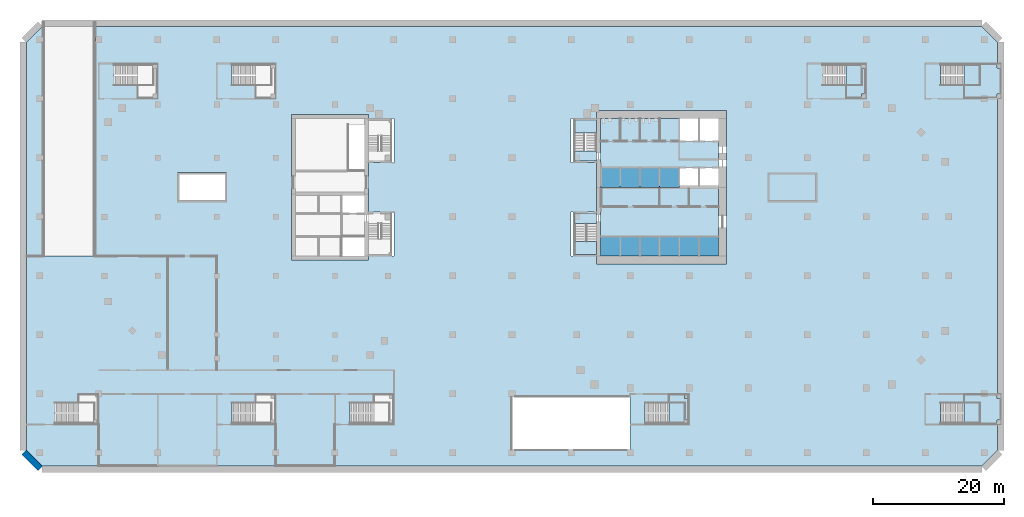
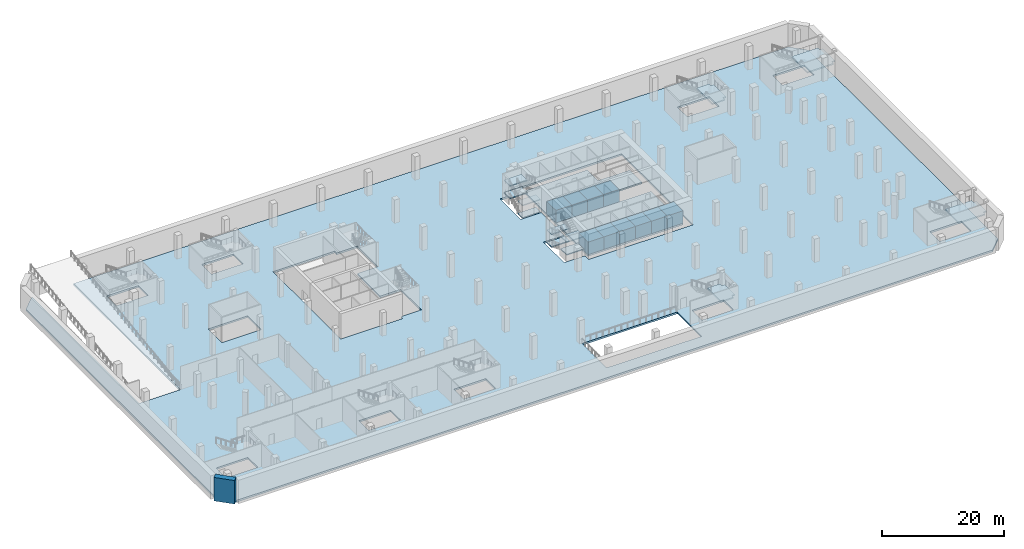
# One storey, part 3 of 19: 24 slabs, 1 wall, 6 elements without a shape of their own.
"""IFC4 building model written with IfcOpenShell, lengths in metres."""

from ifc_helpers import new_model, si_unit, direction, frame, frame_2d, origin, place, context, subcontext, project, spatial, polyline, rectangle, outline, extrude, material, layer, layer_set, type_object, element, aggregate, save


model = new_model("IFC4")

# Units and contexts
model_context = context("Model", 3, precision=1e-05, world=origin(), true_north=direction((0.0, 1.0)))
body_context = subcontext(model_context, "Body", "Model", "MODEL_VIEW")
ifc_project = project(units=[si_unit("LENGTHUNIT", "METRE"), si_unit("AREAUNIT", "SQUARE_METRE"), si_unit("VOLUMEUNIT", "CUBIC_METRE"), si_unit("PLANEANGLEUNIT", "RADIAN"), si_unit("MASSUNIT", "GRAM", prefix="KILO")], contexts=[model_context])

# Site, building, storey
site_placement = place(None, origin())
site = spatial("IfcSite", under=ifc_project, at=site_placement, CompositionType="ELEMENT")
building_placement = place(site_placement, origin())
building = spatial("IfcBuilding", under=site, at=building_placement, Name="Cinnabar Reach Civic Tower", CompositionType="ELEMENT")
storey_placement = place(building_placement, frame((0.0, 0.0, -5.0)))
storey = spatial("IfcBuildingStorey", under=building, at=storey_placement, Name="B1", CompositionType="ELEMENT", Elevation=-5.0)

# Slab
ifc_material_1 = material(Name="Concrete C40", Category="concrete")
ifc_layer_1 = layer(ifc_material_1, 0.35)
ifc_layer_set_1 = layer_set([ifc_layer_1], Name="Basement flat slab 350 REI 150")
slab_type_1 = type_object("IfcSlabType", Name="Basement flat slab 350 REI 150", PredefinedType="FLOOR", material=ifc_layer_set_1)
slab_1_placement = place(storey_placement, frame((0.0, 0.0, -0.35)))
element("IfcSlab", 1, at=slab_1_placement, inside=storey, type_object=slab_type_1, Name="Basement flat slab 350 B1", PredefinedType="FLOOR", context=body_context, shape_type="SweptSolid", body=[
    extrude(outline(polyline([(-83.0, -8.5858), (-83.0, 53.5858), (-80.5858, 56.0), (-80.4, 56.0), (-80.4, 21.0), (-72.6, 21.0), (-72.6, 56.0), (62.5858, 56.0), (65.0, 53.5858), (65.0, -8.5858), (62.5858, -11.0), (-80.5858, -11.0), (-83.0, -8.5858)]), holes=[polyline([(-78.7, -1.3), (-78.7, -4.5), (-72.7, -4.5), (-72.7, -1.3), (-78.7, -1.3)]), polyline([(-45.7, -1.3), (-51.7, -1.3), (-51.7, -4.5), (-45.7, -4.5), (-45.7, -1.3)]), polyline([(-52.5, 33.75), (-60.0, 33.75), (-60.0, 29.25), (-52.5, 29.25), (-52.5, 33.75)]), polyline([(-27.0, 35.25), (-27.0, 42.0), (-30.9, 42.0), (-30.9, 42.6), (-42.6, 42.6), (-42.6, 20.4), (-30.9, 20.4), (-30.9, 21.0), (-27.0, 21.0), (-27.0, 27.75), (-30.9, 27.75), (-30.9, 35.25), (-27.0, 35.25)]), polyline([(-63.7, 47.0), (-63.7, 50.2), (-69.7, 50.2), (-69.7, 47.0), (-63.7, 47.0)]), polyline([(-45.7, 47.0), (-45.7, 50.2), (-51.7, 50.2), (-51.7, 47.0), (-45.7, 47.0)]), polyline([(-9.0, -0.5), (-9.0, -8.5), (9.0, -8.5), (9.0, -0.5), (-9.0, -0.5)]), polyline([(-27.7, -1.3), (-33.7, -1.3), (-33.7, -4.5), (-27.7, -4.5), (-27.7, -1.3)]), polyline([(17.3, -1.3), (11.3, -1.3), (11.3, -4.5), (17.3, -4.5), (17.3, -1.3)]), polyline([(62.3, -1.3), (56.3, -1.3), (56.3, -4.5), (62.3, -4.5), (62.3, -1.3)]), polyline([(3.9, 42.0), (0.0, 42.0), (0.0, 35.25), (3.9, 35.25), (3.9, 27.75), (0.0, 27.75), (0.0, 21.0), (3.9, 21.0), (3.9, 19.8), (23.7, 19.8), (23.7, 43.2), (3.9, 43.2), (3.9, 42.0)]), polyline([(44.3, 47.0), (44.3, 50.2), (38.3, 50.2), (38.3, 47.0), (44.3, 47.0)]), polyline([(62.3, 47.0), (62.3, 50.2), (56.3, 50.2), (56.3, 47.0), (62.3, 47.0)])]), origin(), (0.0, 0.0, 1.0), 0.35),
])

# Stair, slab
ifc_material_2 = material(Name="Concrete C35", Category="concrete")
stair_type_1 = type_object("IfcStairType", Name="Podium exit stair 1500", PredefinedType="HALF_TURN_STAIR", material=ifc_material_2)
stair_1_placement = place(storey_placement, origin())
stair_1 = element("IfcStair", 2, at=stair_1_placement, inside=storey, type_object=stair_type_1, Name="Stair PS3", PredefinedType="HALF_TURN_STAIR")
ifc_material_3 = material(Name="Concrete C35/45", Category="concrete")
ifc_layer_2 = layer(ifc_material_3, 0.25)
ifc_layer_set_2 = layer_set([ifc_layer_2], Name="Podium exit stair landing 250")
slab_type_2 = type_object("IfcSlabType", Name="Podium exit stair landing 250", PredefinedType="LANDING", material=ifc_layer_set_2)
slab_2_placement = place(storey_placement, frame((0.0, 0.0, 2.25)))
slab_2 = element("IfcSlab", 3, at=slab_2_placement, type_object=slab_type_2, Name="PS3 landing 1", PredefinedType="LANDING", context=body_context, shape_type="SweptSolid", body=[
    extrude(outline(polyline([(17.9, -3.95), (17.3, -3.95), (17.3, -4.55), (14.93, -4.55), (14.93, -0.1), (17.3, -0.1), (17.3, -0.7), (17.9, -0.7), (17.9, -3.95)])), origin(), (0.0, 0.0, 1.0), 0.25),
])
aggregate(stair_1, [slab_2])

stair_2_placement = place(storey_placement, origin())
stair_2 = element("IfcStair", 4, at=stair_2_placement, inside=storey, type_object=stair_type_1, Name="Stair PS4", PredefinedType="HALF_TURN_STAIR")
slab_3_placement = place(storey_placement, frame((0.0, 0.0, 2.25)))
slab_3 = element("IfcSlab", 5, at=slab_3_placement, type_object=slab_type_2, Name="PS4 landing 1", PredefinedType="LANDING", context=body_context, shape_type="SweptSolid", body=[
    extrude(outline(polyline([(65.5, -3.95), (64.9, -3.95), (64.9, -4.55), (59.93, -4.55), (59.93, -0.1), (64.9, -0.1), (64.9, -0.7), (65.5, -0.7), (65.5, -3.95)])), origin(), (0.0, 0.0, 1.0), 0.25),
])
aggregate(stair_2, [slab_3])

stair_3_placement = place(storey_placement, origin())
stair_3 = element("IfcStair", 6, at=stair_3_placement, inside=storey, type_object=stair_type_1, Name="Stair PS5", PredefinedType="HALF_TURN_STAIR")
slab_4_placement = place(storey_placement, frame((0.0, 0.0, 2.25)))
slab_4 = element("IfcSlab", 7, at=slab_4_placement, type_object=slab_type_2, Name="PS5 landing 1", PredefinedType="LANDING", context=body_context, shape_type="SweptSolid", body=[
    extrude(outline(polyline([(65.5, 45.7), (64.9, 45.7), (64.9, 45.1), (59.93, 45.1), (59.93, 50.25), (64.9, 50.25), (64.9, 49.65), (65.5, 49.65), (65.5, 45.7)])), origin(), (0.0, 0.0, 1.0), 0.25),
])
aggregate(stair_3, [slab_4])

stair_4_placement = place(storey_placement, origin())
stair_4 = element("IfcStair", 8, at=stair_4_placement, inside=storey, type_object=stair_type_1, Name="Stair PS6", PredefinedType="HALF_TURN_STAIR")
slab_5_placement = place(storey_placement, frame((0.0, 0.0, 2.25)))
slab_5 = element("IfcSlab", 9, at=slab_5_placement, type_object=slab_type_2, Name="PS6 landing 1", PredefinedType="LANDING", context=body_context, shape_type="SweptSolid", body=[
    extrude(outline(polyline([(44.9, 45.7), (44.3, 45.7), (44.3, 45.1), (41.93, 45.1), (41.93, 50.25), (44.3, 50.25), (44.3, 49.65), (44.9, 49.65), (44.9, 45.7)])), origin(), (0.0, 0.0, 1.0), 0.25),
])
aggregate(stair_4, [slab_5])

# Stair, slabs
ifc_material_4 = material(Name="Concrete C40/50", Category="concrete")
stair_type_2 = type_object("IfcStairType", Name="T1 Exit stair, double return", PredefinedType="DOUBLE_RETURN_STAIR", material=ifc_material_4)
stair_5_placement = place(storey_placement, origin())
stair_5 = element("IfcStair", 10, at=stair_5_placement, inside=storey, type_object=stair_type_2, Name="Stair T1-S1", PredefinedType="DOUBLE_RETURN_STAIR")
ifc_layer_3 = layer(ifc_material_4, 0.2)
ifc_layer_set_3 = layer_set([ifc_layer_3], Name="T1 Stair landing 200, Concrete C40/50")
slab_type_3 = type_object("IfcSlabType", Name="T1 Stair landing 200, Concrete C40/50", PredefinedType="LANDING", material=ifc_layer_set_3)
slab_6_placement = place(storey_placement, frame((0.0, 0.0, -0.2)))
slab_6 = element("IfcSlab", 11, at=slab_6_placement, type_object=slab_type_3, Name="T1-S1 landing 1", PredefinedType="LANDING", context=body_context, shape_type="SweptSolid", body=[
    extrude(outline(polyline([(3.9, 25.95), (3.9, 27.5), (0.5, 27.5), (0.5, 25.95), (3.9, 25.95)])), origin(), (0.0, 0.0, 1.0), 0.2),
])
slab_7_placement = place(storey_placement, frame((0.0, 0.0, 1.05)))
slab_7 = element("IfcSlab", 12, at=slab_7_placement, type_object=slab_type_3, Name="T1-S1 landing 2", PredefinedType="LANDING", context=body_context, shape_type="SweptSolid", body=[
    extrude(outline(polyline([(3.9, 21.25), (3.9, 23.205), (0.6, 23.205), (0.6, 21.25), (3.9, 21.25)])), origin(), (0.0, 0.0, 1.0), 0.2),
])
slab_8_placement = place(storey_placement, frame((0.0, 0.0, 2.3)))
slab_8 = element("IfcSlab", 13, at=slab_8_placement, type_object=slab_type_3, Name="T1-S1 landing 3", PredefinedType="LANDING", context=body_context, shape_type="SweptSolid", body=[
    extrude(outline(polyline([(3.9, 25.95), (3.9, 27.5), (0.5, 27.5), (0.5, 25.95), (3.9, 25.95)])), origin(), (0.0, 0.0, 1.0), 0.2),
])
slab_9_placement = place(storey_placement, frame((0.0, 0.0, 3.55)))
slab_9 = element("IfcSlab", 14, at=slab_9_placement, type_object=slab_type_3, Name="T1-S1 landing 4", PredefinedType="LANDING", context=body_context, shape_type="SweptSolid", body=[
    extrude(outline(polyline([(3.9, 21.25), (3.9, 23.205), (0.6, 23.205), (0.6, 21.25), (3.9, 21.25)])), origin(), (0.0, 0.0, 1.0), 0.2),
])
aggregate(stair_5, [slab_6, slab_7, slab_8, slab_9])

stair_6_placement = place(storey_placement, origin())
stair_6 = element("IfcStair", 15, at=stair_6_placement, inside=storey, type_object=stair_type_2, Name="Stair T1-S2", PredefinedType="DOUBLE_RETURN_STAIR")
slab_10_placement = place(storey_placement, frame((0.0, 0.0, -0.2)))
slab_10 = element("IfcSlab", 16, at=slab_10_placement, type_object=slab_type_3, Name="T1-S2 landing 1", PredefinedType="LANDING", context=body_context, shape_type="SweptSolid", body=[
    extrude(outline(polyline([(3.9, 35.5), (3.9, 37.05), (0.5, 37.05), (0.5, 35.5), (3.9, 35.5)])), origin(), (0.0, 0.0, 1.0), 0.2),
])
slab_11_placement = place(storey_placement, frame((0.0, 0.0, 1.05)))
slab_11 = element("IfcSlab", 17, at=slab_11_placement, type_object=slab_type_3, Name="T1-S2 landing 2", PredefinedType="LANDING", context=body_context, shape_type="SweptSolid", body=[
    extrude(outline(polyline([(3.9, 39.795), (3.9, 41.75), (0.6, 41.75), (0.6, 39.795), (3.9, 39.795)])), origin(), (0.0, 0.0, 1.0), 0.2),
])
slab_12_placement = place(storey_placement, frame((0.0, 0.0, 2.3)))
slab_12 = element("IfcSlab", 18, at=slab_12_placement, type_object=slab_type_3, Name="T1-S2 landing 3", PredefinedType="LANDING", context=body_context, shape_type="SweptSolid", body=[
    extrude(outline(polyline([(3.9, 35.5), (3.9, 37.05), (0.5, 37.05), (0.5, 35.5), (3.9, 35.5)])), origin(), (0.0, 0.0, 1.0), 0.2),
])
slab_13_placement = place(storey_placement, frame((0.0, 0.0, 3.55)))
slab_13 = element("IfcSlab", 19, at=slab_13_placement, type_object=slab_type_3, Name="T1-S2 landing 4", PredefinedType="LANDING", context=body_context, shape_type="SweptSolid", body=[
    extrude(outline(polyline([(3.9, 39.795), (3.9, 41.75), (0.6, 41.75), (0.6, 39.795), (3.9, 39.795)])), origin(), (0.0, 0.0, 1.0), 0.2),
])
aggregate(stair_6, [slab_10, slab_11, slab_12, slab_13])

# Slabs
ifc_layer_4 = layer(ifc_material_4, 0.35)
ifc_layer_set_4 = layer_set([ifc_layer_4], Name="T1 core floor slab 350")
slab_type_4 = type_object("IfcSlabType", Name="T1 core floor slab 350", PredefinedType="FLOOR", material=ifc_layer_set_4)
slab_14_placement = place(storey_placement, frame((0.0, 0.0, -0.35)))
element("IfcSlab", 20, at=slab_14_placement, inside=storey, type_object=slab_type_4, Name="Core floor slab B1", PredefinedType="FLOOR", context=body_context, shape_type="SweptSolid", body=[
    extrude(outline(polyline([(22.5, 21.0), (4.5, 21.0), (4.5, 42.0), (16.5, 42.0), (16.5, 38.5), (19.5, 38.5), (22.5, 38.5), (22.5, 34.5), (19.5, 34.5), (16.5, 34.5), (16.5, 31.5), (19.5, 31.5), (22.5, 31.5), (22.5, 21.0)])), origin(), (0.0, 0.0, 1.0), 0.35),
])
ifc_layer_5 = layer(ifc_material_4, 2.5)
ifc_layer_set_5 = layer_set([ifc_layer_5], Name="T1 lift pit base 2500")
slab_type_5 = type_object("IfcSlabType", Name="T1 lift pit base 2500", PredefinedType="BASESLAB", material=ifc_layer_set_5)
slab_15_placement = place(storey_placement, origin())
element("IfcSlab", 21, at=slab_15_placement, inside=storey, type_object=slab_type_5, Name="Lift pit base LR1", PredefinedType="BASESLAB", context=body_context, shape_type="SweptSolid", body=[
    extrude(outline(polyline([(7.5, 24.0), (7.5, 21.0), (4.5, 21.0), (4.5, 24.0), (7.5, 24.0)])), origin(), (0.0, 0.0, 1.0), 2.5),
])
slab_16_placement = place(storey_placement, origin())
element("IfcSlab", 22, at=slab_16_placement, inside=storey, type_object=slab_type_5, Name="Lift pit base LR2", PredefinedType="BASESLAB", context=body_context, shape_type="SweptSolid", body=[
    extrude(outline(polyline([(7.5, 24.0), (10.5, 24.0), (10.5, 21.0), (7.5, 21.0), (7.5, 24.0)])), origin(), (0.0, 0.0, 1.0), 2.5),
])
slab_17_placement = place(storey_placement, origin())
element("IfcSlab", 23, at=slab_17_placement, inside=storey, type_object=slab_type_5, Name="Lift pit base LR3", PredefinedType="BASESLAB", context=body_context, shape_type="SweptSolid", body=[
    extrude(outline(polyline([(10.5, 24.0), (13.5, 24.0), (13.5, 21.0), (10.5, 21.0), (10.5, 24.0)])), origin(), (0.0, 0.0, 1.0), 2.5),
])
slab_18_placement = place(storey_placement, origin())
element("IfcSlab", 24, at=slab_18_placement, inside=storey, type_object=slab_type_5, Name="Lift pit base LR4", PredefinedType="BASESLAB", context=body_context, shape_type="SweptSolid", body=[
    extrude(outline(polyline([(13.5, 24.0), (16.5, 24.0), (16.5, 21.0), (13.5, 21.0), (13.5, 24.0)])), origin(), (0.0, 0.0, 1.0), 2.5),
])
slab_19_placement = place(storey_placement, origin())
element("IfcSlab", 25, at=slab_19_placement, inside=storey, type_object=slab_type_5, Name="Lift pit base LR5", PredefinedType="BASESLAB", context=body_context, shape_type="SweptSolid", body=[
    extrude(outline(polyline([(16.5, 24.0), (19.5, 24.0), (19.5, 21.0), (16.5, 21.0), (16.5, 24.0)])), origin(), (0.0, 0.0, 1.0), 2.5),
])
slab_20_placement = place(storey_placement, origin())
element("IfcSlab", 26, at=slab_20_placement, inside=storey, type_object=slab_type_5, Name="Lift pit base LR6", PredefinedType="BASESLAB", context=body_context, shape_type="SweptSolid", body=[
    extrude(outline(polyline([(22.5, 21.0), (19.5, 21.0), (19.5, 24.0), (22.5, 24.0), (22.5, 21.0)])), origin(), (0.0, 0.0, 1.0), 2.5),
])
slab_21_placement = place(storey_placement, origin())
element("IfcSlab", 27, at=slab_21_placement, inside=storey, type_object=slab_type_5, Name="Lift pit base SH1", PredefinedType="BASESLAB", context=body_context, shape_type="SweptSolid", body=[
    extrude(outline(polyline([(7.5, 34.5), (7.5, 31.5), (4.5, 31.5), (4.5, 34.5), (7.5, 34.5)])), origin(), (0.0, 0.0, 1.0), 2.5),
])
slab_22_placement = place(storey_placement, origin())
element("IfcSlab", 28, at=slab_22_placement, inside=storey, type_object=slab_type_5, Name="Lift pit base SH2", PredefinedType="BASESLAB", context=body_context, shape_type="SweptSolid", body=[
    extrude(outline(polyline([(7.5, 31.5), (7.5, 34.5), (10.5, 34.5), (10.5, 31.5), (7.5, 31.5)])), origin(), (0.0, 0.0, 1.0), 2.5),
])
slab_23_placement = place(storey_placement, origin())
element("IfcSlab", 29, at=slab_23_placement, inside=storey, type_object=slab_type_5, Name="Lift pit base OB1", PredefinedType="BASESLAB", context=body_context, shape_type="SweptSolid", body=[
    extrude(outline(polyline([(10.5, 31.5), (10.5, 34.5), (13.5, 34.5), (13.5, 31.5), (10.5, 31.5)])), origin(), (0.0, 0.0, 1.0), 2.5),
])
slab_24_placement = place(storey_placement, origin())
element("IfcSlab", 30, at=slab_24_placement, inside=storey, type_object=slab_type_5, Name="Lift pit base OB2", PredefinedType="BASESLAB", context=body_context, shape_type="SweptSolid", body=[
    extrude(outline(polyline([(13.5, 31.5), (13.5, 34.5), (16.5, 34.5), (16.5, 31.5), (13.5, 31.5)])), origin(), (0.0, 0.0, 1.0), 2.5),
])

# Wall
ifc_material_5 = material(Name="Concrete C70", Category="concrete")
ifc_layer_6 = layer(ifc_material_5, 1.0)
ifc_layer_set_6 = layer_set([ifc_layer_6], Name="Basement wall 1000 EI 180")
wall_type = type_object("IfcWallType", Name="Basement wall 1000 EI 180", PredefinedType="SOLIDWALL", material=ifc_layer_set_6)
wall_placement = place(storey_placement, frame((-80.9004, -11.3924, 0.0), z_axis=(0.0, 0.0, 1.0), x_axis=(-0.707106781187, 0.707106781187, 0.0)))
element("IfcWall", 31, at=wall_placement, inside=storey, type_object=wall_type, Name="Basement wall B1 1", PredefinedType="SOLIDWALL", context=body_context, shape_type="SweptSolid", body=[
    extrude(rectangle(XDim=3.5242, YDim=1.0, at=frame_2d((1.7621, 0.0))), origin(), (0.0, 0.0, 1.0), 4.7),
])

save(model, "model.ifc")
